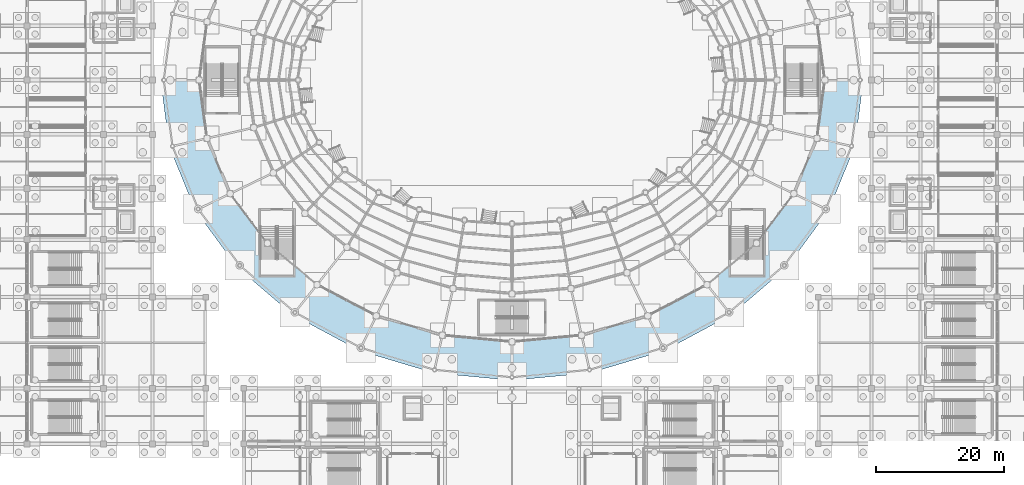
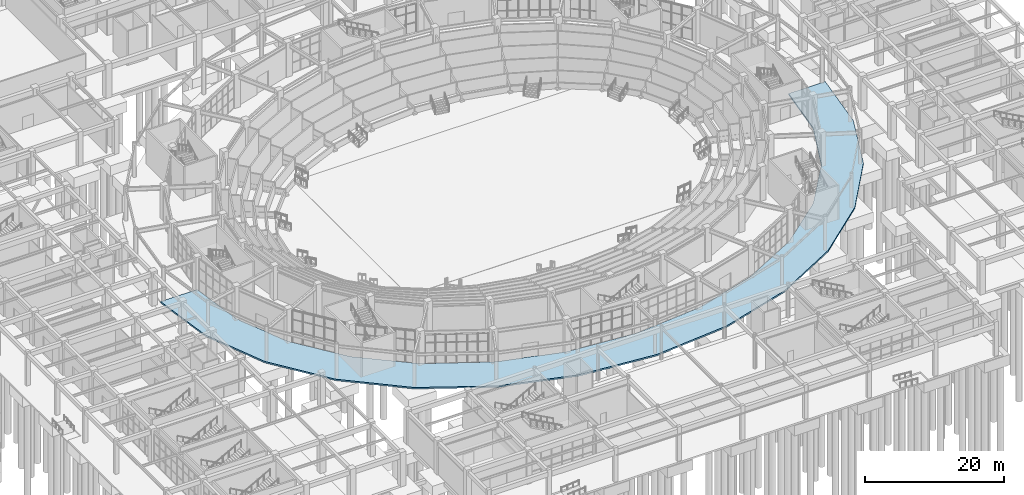
# One storey, part 67 of 121: 1 slab.
"""IFC4 building model written with IfcOpenShell, lengths in metres."""

from ifc_helpers import new_model, si_unit, direction, frame, origin, place, context, subcontext, project, spatial, polyline, outline, extrude, material, layer, layer_set, type_object, element, save


model = new_model("IFC4")

# Units and contexts
model_context = context("Model", 3, precision=1e-05, world=origin(), true_north=direction((0.0, 1.0)))
body_context = subcontext(model_context, "Body", "Model", "MODEL_VIEW")
ifc_project = project(units=[si_unit("LENGTHUNIT", "METRE"), si_unit("AREAUNIT", "SQUARE_METRE"), si_unit("VOLUMEUNIT", "CUBIC_METRE"), si_unit("PLANEANGLEUNIT", "RADIAN"), si_unit("MASSUNIT", "GRAM", prefix="KILO")], contexts=[model_context])

# Site, building, storey
site_placement = place(None, origin())
site = spatial("IfcSite", under=ifc_project, at=site_placement, CompositionType="ELEMENT")
building_placement = place(site_placement, origin())
building = spatial("IfcBuilding", under=site, at=building_placement, Name="Cuetzalor Civic Arena", CompositionType="ELEMENT")
storey_placement = place(building_placement, origin())
storey = spatial("IfcBuildingStorey", under=building, at=storey_placement, Name="L00", CompositionType="ELEMENT", Elevation=0.0)

# Slab
ifc_material = material(Name="Concrete C35/45", Category="concrete")
ifc_layer = layer(ifc_material, 0.260009765625)
ifc_layer_set = layer_set([ifc_layer], Name="Concrete C35/45")
slab_type = type_object("IfcSlabType", Name="ExteriorPlazaSlab_240", PredefinedType="BASESLAB", material=ifc_layer_set)
slab_placement = place(storey_placement, frame((0.0, 0.0, -0.260009765625)))
element("IfcSlab", 1, at=slab_placement, inside=storey, type_object=slab_type, Name="Exterior Drum Colonnade Plaza Paving 02", PredefinedType="BASESLAB", context=body_context, shape_type="SweptSolid", body=[
    extrude(outline(polyline([(-49.0, 0.0), (-47.771484375, -9.123291015625), (-44.1474609375, -17.789306640625), (-38.309814453125, -25.56298828125), (-30.551025390625, -32.05517578125), (-21.26025390625, -36.939697265625), (-10.903564453125, -39.971923828125), (0.0, -41.0), (10.903564453125, -39.971923828125), (21.26025390625, -36.939697265625), (30.551025390625, -32.05517578125), (38.309814453125, -25.56298828125), (44.1474609375, -17.789306640625), (47.771484375, -9.123291015625), (49.0, 0.0), (55.050048828125, 0.0), (53.669921875, -10.469482421875), (49.598388671875, -20.414306640625), (43.039794921875, -29.335205078125), (34.322998046875, -36.78515625), (23.88525390625, -42.390625), (12.249755859375, -45.870361328125), (0.0, -47.050048828125), (-12.249755859375, -45.870361328125), (-23.88525390625, -42.390625), (-34.322998046875, -36.78515625), (-43.039794921875, -29.335205078125), (-49.598388671875, -20.414306640625), (-53.669921875, -10.469482421875), (-55.050048828125, 0.0), (-49.0, 0.0)])), origin(), (0.0, 0.0, 1.0), 0.260009765625),
])

save(model, "model.ifc")
